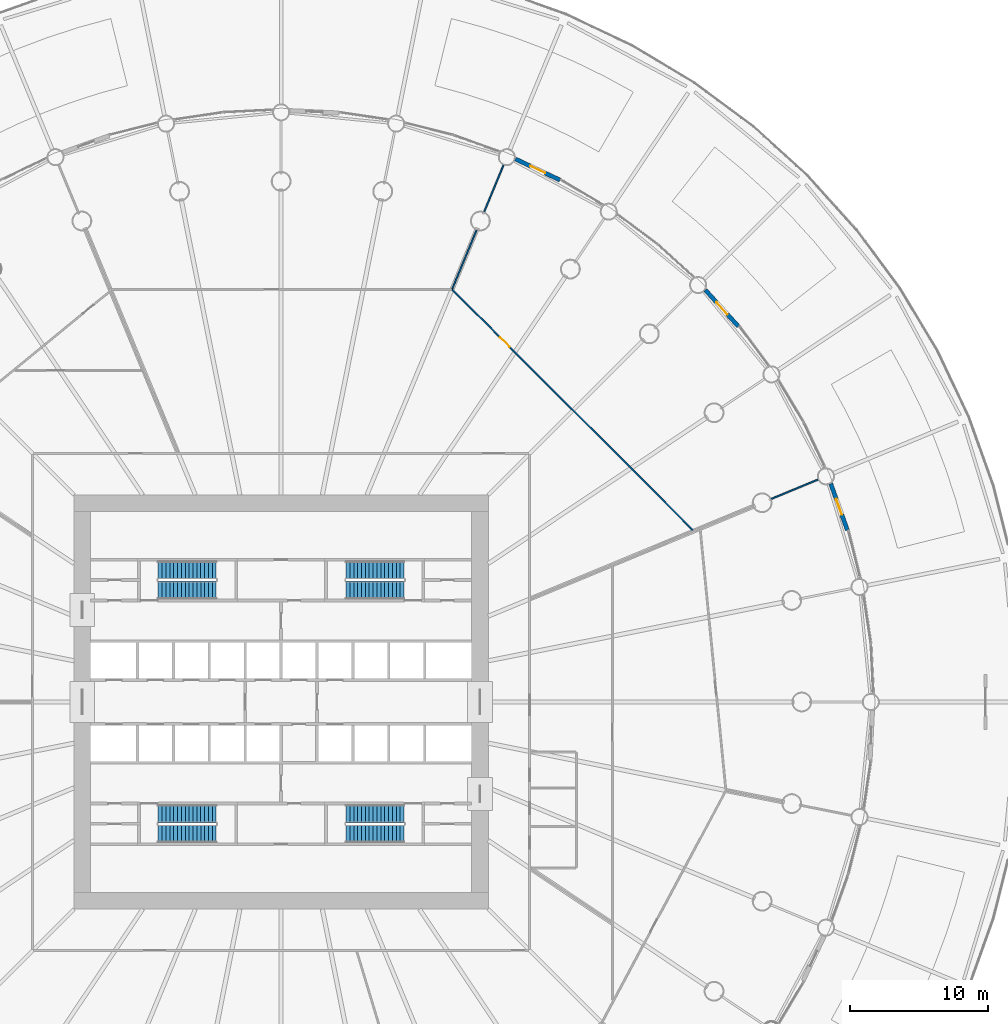
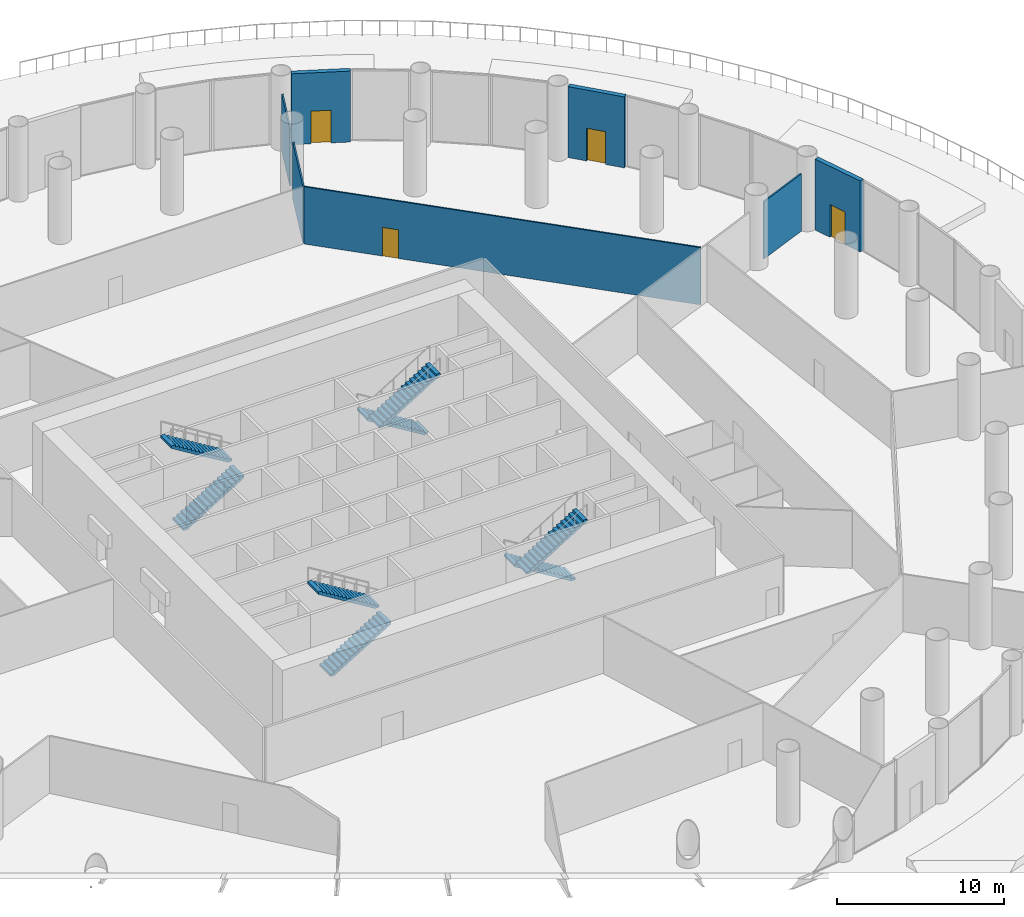
# One storey, part 33 of 36: 8 stair flights, 7 walls, 4 doors, 4 openings, 4 elements without a shape of their own.
"""IFC4 building model written with IfcOpenShell, lengths in metres."""

from ifc_helpers import new_model, si_unit, direction, frame, frame_2d, origin, place, context, subcontext, project, spatial, polyline, rectangle, outline, extrude, material, layer, layer_set, type_object, element, fill, aggregate, save


model = new_model("IFC4")

# Units and contexts
model_context = context("Model", 3, precision=1e-05, world=origin(), true_north=direction((0.0, 1.0)))
body_context = subcontext(model_context, "Body", "Model", "MODEL_VIEW")
ifc_project = project(units=[si_unit("LENGTHUNIT", "METRE"), si_unit("AREAUNIT", "SQUARE_METRE"), si_unit("VOLUMEUNIT", "CUBIC_METRE"), si_unit("PLANEANGLEUNIT", "RADIAN"), si_unit("MASSUNIT", "GRAM", prefix="KILO")], contexts=[model_context])

# Site, building, storey
site_placement = place(None, origin())
site = spatial("IfcSite", under=ifc_project, at=site_placement, CompositionType="ELEMENT")
building_placement = place(site_placement, origin())
building = spatial("IfcBuilding", under=site, at=building_placement, Name="Corvane Civic Tower", CompositionType="ELEMENT")
storey_placement = place(building_placement, frame((0.0, 0.0, 6.0)))
storey = spatial("IfcBuildingStorey", under=building, at=storey_placement, Name="L01", CompositionType="ELEMENT", Elevation=6.0)

# Wall, opening, door
ifc_material_1 = material(Name="Terracotta cladding", Category="masonry")
ifc_layer_1 = layer(ifc_material_1, 0.300048828125)
ifc_layer_set_1 = layer_set([ifc_layer_1], Name="Terracotta cladding")
wall_type_1 = type_object("IfcWallType", Name="PODIUM-W-DRUMDOOR-300", PredefinedType="SOLIDWALL", material=ifc_layer_set_1)
wall_1_placement = place(storey_placement, frame((16.9697265625, 39.317626953125, 0.0), z_axis=(0.0, 0.0, 1.0), x_axis=(0.903993235074, -0.427546758778, 0.0)))
wall_1 = element("IfcWall", 1, at=wall_1_placement, inside=storey, type_object=wall_type_1, Name="L01 drum door bay wall 03", PredefinedType="SOLIDWALL", context=body_context, shape_type="SweptSolid", body=[
    extrude(rectangle(XDim=3.559814453125, YDim=0.300048828125, at=frame_2d((1.77978515625, 0.0))), origin(), (0.0, 0.0, 1.0), 5.199951171875),
])
opening_1_placement = place(wall_1_placement, frame((1.179931640625, 0.0, 0.0)))
opening_1 = element("IfcOpeningElement", 2, at=opening_1_placement, cuts=wall_1, Name="Opening ED-L01-03", PredefinedType="OPENING", context=body_context, shape_type="SweptSolid", body=[
    extrude(rectangle(XDim=1.199951171875, YDim=2.39990234375, at=frame_2d((0.60009765625, 1.199951171875))), frame((0.0, 0.159912109375, 0.0), z_axis=(0.0, -1.0, 0.0), x_axis=(1.0, 0.0, 0.0)), (0.0, 0.0, 1.0), 0.320068359375),
])
ifc_material_2 = material(Name="Anodised aluminium and glass", Category="aluminium")
door_type_1 = type_object("IfcDoorType", Name="PODIUM-D-BALCONY-1200", OperationType="SINGLE_SWING_LEFT", PredefinedType="DOOR", material=ifc_material_2)
door_1_placement = place(opening_1_placement, origin())
door_1 = element("IfcDoor", 3, at=door_1_placement, inside=storey, type_object=door_type_1, Name="L01 balcony door 03", OperationType="SINGLE_SWING_LEFT", OverallHeight=2.39990234375, OverallWidth=1.199951171875, PredefinedType="DOOR", context=body_context, shape_type="SweptSolid", body=[
    extrude(rectangle(XDim=1.199951171875, YDim=2.39990234375, at=frame_2d((0.60009765625, 1.199951171875))), frame((0.0, 0.02490234375, 0.0), z_axis=(0.0, -1.0, 0.0), x_axis=(1.0, 0.0, 0.0)), (0.0, 0.0, 1.0), 0.050048828125),
])
fill(opening_1, door_1)

wall_2_placement = place(storey_placement, frame((30.72412109375, 29.83056640625, 0.0), z_axis=(0.0, 0.0, 1.0), x_axis=(0.671590022694, -0.740922965913, 0.0)))
wall_2 = element("IfcWall", 4, at=wall_2_placement, inside=storey, type_object=wall_type_1, Name="L01 drum door bay wall 05", PredefinedType="SOLIDWALL", context=body_context, shape_type="SweptSolid", body=[
    extrude(rectangle(XDim=3.56005859375, YDim=0.300048828125, at=frame_2d((1.780029296875, 0.0))), origin(), (0.0, 0.0, 1.0), 5.199951171875),
])
opening_2_placement = place(wall_2_placement, frame((1.179931640625, 0.0, 0.0)))
opening_2 = element("IfcOpeningElement", 5, at=opening_2_placement, cuts=wall_2, Name="Opening ED-L01-05", PredefinedType="OPENING", context=body_context, shape_type="SweptSolid", body=[
    extrude(rectangle(XDim=1.199951171875, YDim=2.39990234375, at=frame_2d((0.60009765625, 1.199951171875))), frame((0.0, 0.159912109375, 0.0), z_axis=(0.0, -1.0, 0.0), x_axis=(1.0, 0.0, 0.0)), (0.0, 0.0, 1.0), 0.320068359375),
])
door_2_placement = place(opening_2_placement, origin())
door_2 = element("IfcDoor", 6, at=door_2_placement, inside=storey, type_object=door_type_1, Name="L01 balcony door 05", OperationType="SINGLE_SWING_LEFT", OverallHeight=2.39990234375, OverallWidth=1.199951171875, PredefinedType="DOOR", context=body_context, shape_type="SweptSolid", body=[
    extrude(rectangle(XDim=1.199951171875, YDim=2.39990234375, at=frame_2d((0.60009765625, 1.199951171875))), frame((0.0, 0.02490234375, 0.0), z_axis=(0.0, -1.0, 0.0), x_axis=(1.0, 0.0, 0.0)), (0.0, 0.0, 1.0), 0.050048828125),
])
fill(opening_2, door_2)

wall_3_placement = place(storey_placement, frame((39.80126953125, 15.80224609375, 0.0), z_axis=(0.0, 0.0, 1.0), x_axis=(0.336870717414, -0.941550911926, 0.0)))
wall_3 = element("IfcWall", 7, at=wall_3_placement, inside=storey, type_object=wall_type_1, Name="L01 drum door bay wall 07", PredefinedType="SOLIDWALL", context=body_context, shape_type="SweptSolid", body=[
    extrude(rectangle(XDim=3.559814453125, YDim=0.300048828125, at=frame_2d((1.77978515625, 0.0))), origin(), (0.0, 0.0, 1.0), 5.199951171875),
])
opening_3_placement = place(wall_3_placement, frame((1.179931640625, 0.0, 0.0)))
opening_3 = element("IfcOpeningElement", 8, at=opening_3_placement, cuts=wall_3, Name="Opening ED-L01-07", PredefinedType="OPENING", context=body_context, shape_type="SweptSolid", body=[
    extrude(rectangle(XDim=1.199951171875, YDim=2.39990234375, at=frame_2d((0.60009765625, 1.199951171875))), frame((0.0, 0.159912109375, 0.0), z_axis=(0.0, -1.0, 0.0), x_axis=(1.0, 0.0, 0.0)), (0.0, 0.0, 1.0), 0.320068359375),
])
door_3_placement = place(opening_3_placement, origin())
door_3 = element("IfcDoor", 9, at=door_3_placement, inside=storey, type_object=door_type_1, Name="L01 balcony door 07", OperationType="SINGLE_SWING_LEFT", OverallHeight=2.39990234375, OverallWidth=1.199951171875, PredefinedType="DOOR", context=body_context, shape_type="SweptSolid", body=[
    extrude(rectangle(XDim=1.199951171875, YDim=2.39990234375, at=frame_2d((0.60009765625, 1.199951171875))), frame((0.0, 0.02490234375, 0.0), z_axis=(0.0, -1.0, 0.0), x_axis=(1.0, 0.0, 0.0)), (0.0, 0.0, 1.0), 0.050048828125),
])
fill(opening_3, door_3)

ifc_material_3 = material(Name="Plasterboard")
ifc_layer_2 = layer(ifc_material_3, 0.10009765625)
ifc_layer_set_2 = layer_set([ifc_layer_2], Name="Plasterboard")
wall_type_2 = type_object("IfcWallType", Name="Partition 100 plasterboard on studs", PredefinedType="PARTITIONING", material=ifc_layer_set_2)
wall_4_placement = place(storey_placement, frame((12.398681640625, 29.852294921875, 0.0), z_axis=(0.0, 0.0, 1.0), x_axis=(0.707106781187, -0.707106781187, 0.0)))
wall_4 = element("IfcWall", 10, at=wall_4_placement, inside=storey, type_object=wall_type_2, Name="Partition L01.034", PredefinedType="PARTITIONING", context=body_context, shape_type="SweptSolid", body=[
    extrude(rectangle(XDim=24.6416015625, YDim=0.10009765625, at=frame_2d((12.32080078125, 0.0))), origin(), (0.0, 0.0, 1.0), 4.199951171875),
])
opening_4_placement = place(wall_4_placement, frame((4.87353515625, 0.0, 0.0)))
opening_4 = element("IfcOpeningElement", 11, at=opening_4_placement, cuts=wall_4, Name="Opening L01.021", PredefinedType="OPENING", context=body_context, shape_type="SweptSolid", body=[
    extrude(rectangle(XDim=1.0, YDim=2.10009765625, at=frame_2d((0.5, 1.050048828125))), frame((0.0, 0.06005859375, 0.0), z_axis=(0.0, -1.0, 0.0), x_axis=(1.0, 0.0, 0.0)), (0.0, 0.0, 1.0), 0.1201171875),
])
ifc_material_4 = material(Name="Timber", Category="wood")
door_type_2 = type_object("IfcDoorType", Name="Single door 1000", OperationType="NOTDEFINED", PredefinedType="DOOR", material=ifc_material_4)
door_4_placement = place(opening_4_placement, origin())
door_4 = element("IfcDoor", 12, at=door_4_placement, inside=storey, type_object=door_type_2, Name="Door L01.021", OperationType="SINGLE_SWING_RIGHT", OverallHeight=2.10009765625, OverallWidth=1.0, PredefinedType="DOOR", context=body_context, shape_type="SweptSolid", body=[
    extrude(rectangle(XDim=1.0, YDim=2.10009765625, at=frame_2d((0.5, 1.050048828125))), frame((0.0, 0.02490234375, 0.0), z_axis=(0.0, -1.0, 0.0), x_axis=(1.0, 0.0, 0.0)), (0.0, 0.0, 1.0), 0.050048828125),
])
fill(opening_4, door_4)

# Walls
wall_5_placement = place(storey_placement, frame((35.486328125, 14.698974609375, 0.0), z_axis=(0.0, 0.0, 1.0), x_axis=(0.923877746385, 0.382687744427, 0.0)))
element("IfcWall", 13, at=wall_5_placement, inside=storey, type_object=wall_type_2, Name="Partition L01.035", PredefinedType="PARTITIONING", context=body_context, shape_type="SweptSolid", body=[
    extrude(rectangle(XDim=3.6796875, YDim=0.10009765625, at=frame_2d((1.83984375, 0.0))), origin(), (0.0, 0.0, 1.0), 4.199951171875),
])
wall_6_placement = place(storey_placement, frame((12.3876953125, 29.90673828125, 0.0), z_axis=(0.0, 0.0, 1.0), x_axis=(0.382708105761, 0.92386931207, 0.0)))
element("IfcWall", 14, at=wall_6_placement, inside=storey, type_object=wall_type_2, Name="Partition L01.044", PredefinedType="PARTITIONING", context=body_context, shape_type="SweptSolid", body=[
    extrude(rectangle(XDim=4.619140625, YDim=0.10009765625, at=frame_2d((2.3095703125, 0.0))), origin(), (0.0, 0.0, 1.0), 4.199951171875),
])
wall_7_placement = place(storey_placement, frame((14.698974609375, 35.486328125, 0.0), z_axis=(0.0, 0.0, 1.0), x_axis=(0.382687744427, 0.923877746385, 0.0)))
element("IfcWall", 15, at=wall_7_placement, inside=storey, type_object=wall_type_2, Name="Partition L01.046", PredefinedType="PARTITIONING", context=body_context, shape_type="SweptSolid", body=[
    extrude(rectangle(XDim=3.6796875, YDim=0.10009765625, at=frame_2d((1.83984375, 0.0))), origin(), (0.0, 0.0, 1.0), 4.199951171875),
])

# Stair, stair flights
ifc_material_5 = material(Name="Concrete C40/50", Category="concrete")
stair_type = type_object("IfcStairType", Name="ST-STAIR-HALFTURN", PredefinedType="HALF_TURN_STAIR", material=ifc_material_5)
stair_1_placement = place(storey_placement, origin())
stair_1 = element("IfcStair", 16, at=stair_1_placement, inside=storey, type_object=stair_type, Name="L01 Exit stair ST1", PredefinedType="HALF_TURN_STAIR")
ifc_material_6 = material(Name="Concrete C40/50", Category="concrete")
stair_flight_type = type_object("IfcStairFlightType", Name="ST-FLIGHT-RC", PredefinedType="STRAIGHT", material=ifc_material_6)
stair_flight_1_placement = place(storey_placement, frame((8.89990234375, 9.550048828125, 0.0), z_axis=(0.0, 0.0, 1.0), x_axis=(-1.0, 0.0, 0.0)))
stair_flight_1 = element("IfcStairFlight", 17, at=stair_flight_1_placement, type_object=stair_flight_type, Name="ST1 flight 1", NumberOfRisers=16, NumberOfTreads=15, PredefinedType="STRAIGHT", RiserHeight=0.171875, TreadLength=0.28, context=body_context, shape_type="SweptSolid", body=[
    extrude(outline(polyline([(0.0, 0.0), (0.0, 0.171875), (0.280029296875, 0.171875), (0.280029296875, 0.34375), (0.56005859375, 0.34375), (0.56005859375, 0.515625), (0.840087890625, 0.515625), (0.840087890625, 0.6875), (1.1201171875, 0.6875), (1.1201171875, 0.859375), (1.39990234375, 0.859375), (1.39990234375, 1.03125), (1.679931640625, 1.03125), (1.679931640625, 1.203125), (1.9599609375, 1.203125), (1.9599609375, 1.375), (2.239990234375, 1.375), (2.239990234375, 1.546875), (2.52001953125, 1.546875), (2.52001953125, 1.71875), (2.800048828125, 1.71875), (2.800048828125, 1.890625), (3.080078125, 1.890625), (3.080078125, 2.0625), (3.360107421875, 2.0625), (3.360107421875, 2.234375), (3.639892578125, 2.234375), (3.639892578125, 2.40625), (3.919921875, 2.40625), (3.919921875, 2.578125), (4.199951171875, 2.578125), (4.199951171875, 2.75), (4.199951171875, 2.40234375), (0.28662109375, 0.0), (0.0, 0.0)])), frame((0.0, 0.64990234375, 0.0), z_axis=(0.0, -1.0, 0.0), x_axis=(1.0, 0.0, 0.0)), (0.0, 0.0, 1.0), 1.300048828125),
])
stair_flight_2_placement = place(storey_placement, frame((4.699951171875, 8.10009765625, 2.75), z_axis=(0.0, 0.0, 1.0), x_axis=(1.0, 0.0, 0.0)))
stair_flight_2 = element("IfcStairFlight", 18, at=stair_flight_2_placement, type_object=stair_flight_type, Name="ST1 flight 2", NumberOfRisers=16, NumberOfTreads=15, PredefinedType="STRAIGHT", RiserHeight=0.171875, TreadLength=0.28, context=body_context, shape_type="SweptSolid", body=[
    extrude(outline(polyline([(0.0, 0.0), (0.0, 0.171875), (0.280029296875, 0.171875), (0.280029296875, 0.34375), (0.56005859375, 0.34375), (0.56005859375, 0.515625), (0.840087890625, 0.515625), (0.840087890625, 0.6875), (1.1201171875, 0.6875), (1.1201171875, 0.859375), (1.39990234375, 0.859375), (1.39990234375, 1.03125), (1.679931640625, 1.03125), (1.679931640625, 1.203125), (1.9599609375, 1.203125), (1.9599609375, 1.375), (2.239990234375, 1.375), (2.239990234375, 1.546875), (2.52001953125, 1.546875), (2.52001953125, 1.71875), (2.800048828125, 1.71875), (2.800048828125, 1.890625), (3.080078125, 1.890625), (3.080078125, 2.0625), (3.360107421875, 2.0625), (3.360107421875, 2.234375), (3.639892578125, 2.234375), (3.639892578125, 2.40625), (3.919921875, 2.40625), (3.919921875, 2.578125), (4.199951171875, 2.578125), (4.199951171875, 2.75), (4.199951171875, 2.40234375), (0.28662109375, 0.0), (0.0, 0.0)])), frame((0.0, 0.64990234375, 0.0), z_axis=(0.0, -1.0, 0.0), x_axis=(1.0, 0.0, 0.0)), (0.0, 0.0, 1.0), 1.300048828125),
])
aggregate(stair_1, [stair_flight_1, stair_flight_2])

stair_2_placement = place(storey_placement, origin())
stair_2 = element("IfcStair", 19, at=stair_2_placement, inside=storey, type_object=stair_type, Name="L01 Exit stair ST2", PredefinedType="HALF_TURN_STAIR")
stair_flight_3_placement = place(storey_placement, frame((8.89990234375, -8.10009765625, 0.0), z_axis=(0.0, 0.0, 1.0), x_axis=(-1.0, 0.0, 0.0)))
stair_flight_3 = element("IfcStairFlight", 20, at=stair_flight_3_placement, type_object=stair_flight_type, Name="ST2 flight 1", NumberOfRisers=16, NumberOfTreads=15, PredefinedType="STRAIGHT", RiserHeight=0.171875, TreadLength=0.28, context=body_context, shape_type="SweptSolid", body=[
    extrude(outline(polyline([(0.0, 0.0), (0.0, 0.171875), (0.280029296875, 0.171875), (0.280029296875, 0.34375), (0.56005859375, 0.34375), (0.56005859375, 0.515625), (0.840087890625, 0.515625), (0.840087890625, 0.6875), (1.1201171875, 0.6875), (1.1201171875, 0.859375), (1.39990234375, 0.859375), (1.39990234375, 1.03125), (1.679931640625, 1.03125), (1.679931640625, 1.203125), (1.9599609375, 1.203125), (1.9599609375, 1.375), (2.239990234375, 1.375), (2.239990234375, 1.546875), (2.52001953125, 1.546875), (2.52001953125, 1.71875), (2.800048828125, 1.71875), (2.800048828125, 1.890625), (3.080078125, 1.890625), (3.080078125, 2.0625), (3.360107421875, 2.0625), (3.360107421875, 2.234375), (3.639892578125, 2.234375), (3.639892578125, 2.40625), (3.919921875, 2.40625), (3.919921875, 2.578125), (4.199951171875, 2.578125), (4.199951171875, 2.75), (4.199951171875, 2.40234375), (0.28662109375, 0.0), (0.0, 0.0)])), frame((0.0, 0.64990234375, 0.0), z_axis=(0.0, -1.0, 0.0), x_axis=(1.0, 0.0, 0.0)), (0.0, 0.0, 1.0), 1.300048828125),
])
stair_flight_4_placement = place(storey_placement, frame((4.699951171875, -9.550048828125, 2.75), z_axis=(0.0, 0.0, 1.0), x_axis=(1.0, 0.0, 0.0)))
stair_flight_4 = element("IfcStairFlight", 21, at=stair_flight_4_placement, type_object=stair_flight_type, Name="ST2 flight 2", NumberOfRisers=16, NumberOfTreads=15, PredefinedType="STRAIGHT", RiserHeight=0.171875, TreadLength=0.28, context=body_context, shape_type="SweptSolid", body=[
    extrude(outline(polyline([(0.0, 0.0), (0.0, 0.171875), (0.280029296875, 0.171875), (0.280029296875, 0.34375), (0.56005859375, 0.34375), (0.56005859375, 0.515625), (0.840087890625, 0.515625), (0.840087890625, 0.6875), (1.1201171875, 0.6875), (1.1201171875, 0.859375), (1.39990234375, 0.859375), (1.39990234375, 1.03125), (1.679931640625, 1.03125), (1.679931640625, 1.203125), (1.9599609375, 1.203125), (1.9599609375, 1.375), (2.239990234375, 1.375), (2.239990234375, 1.546875), (2.52001953125, 1.546875), (2.52001953125, 1.71875), (2.800048828125, 1.71875), (2.800048828125, 1.890625), (3.080078125, 1.890625), (3.080078125, 2.0625), (3.360107421875, 2.0625), (3.360107421875, 2.234375), (3.639892578125, 2.234375), (3.639892578125, 2.40625), (3.919921875, 2.40625), (3.919921875, 2.578125), (4.199951171875, 2.578125), (4.199951171875, 2.75), (4.199951171875, 2.40234375), (0.28662109375, 0.0), (0.0, 0.0)])), frame((0.0, 0.64990234375, 0.0), z_axis=(0.0, -1.0, 0.0), x_axis=(1.0, 0.0, 0.0)), (0.0, 0.0, 1.0), 1.300048828125),
])
aggregate(stair_2, [stair_flight_3, stair_flight_4])

stair_3_placement = place(storey_placement, origin())
stair_3 = element("IfcStair", 22, at=stair_3_placement, inside=storey, type_object=stair_type, Name="L01 Exit stair ST3", PredefinedType="HALF_TURN_STAIR")
stair_flight_5_placement = place(storey_placement, frame((-8.89990234375, -9.550048828125, 0.0), z_axis=(0.0, 0.0, 1.0), x_axis=(1.0, 0.0, 0.0)))
stair_flight_5 = element("IfcStairFlight", 23, at=stair_flight_5_placement, type_object=stair_flight_type, Name="ST3 flight 1", NumberOfRisers=16, NumberOfTreads=15, PredefinedType="STRAIGHT", RiserHeight=0.171875, TreadLength=0.28, context=body_context, shape_type="SweptSolid", body=[
    extrude(outline(polyline([(0.0, 0.0), (0.0, 0.171875), (0.280029296875, 0.171875), (0.280029296875, 0.34375), (0.56005859375, 0.34375), (0.56005859375, 0.515625), (0.840087890625, 0.515625), (0.840087890625, 0.6875), (1.1201171875, 0.6875), (1.1201171875, 0.859375), (1.39990234375, 0.859375), (1.39990234375, 1.03125), (1.679931640625, 1.03125), (1.679931640625, 1.203125), (1.9599609375, 1.203125), (1.9599609375, 1.375), (2.239990234375, 1.375), (2.239990234375, 1.546875), (2.52001953125, 1.546875), (2.52001953125, 1.71875), (2.800048828125, 1.71875), (2.800048828125, 1.890625), (3.080078125, 1.890625), (3.080078125, 2.0625), (3.360107421875, 2.0625), (3.360107421875, 2.234375), (3.639892578125, 2.234375), (3.639892578125, 2.40625), (3.919921875, 2.40625), (3.919921875, 2.578125), (4.199951171875, 2.578125), (4.199951171875, 2.75), (4.199951171875, 2.40234375), (0.28662109375, 0.0), (0.0, 0.0)])), frame((0.0, 0.64990234375, 0.0), z_axis=(0.0, -1.0, 0.0), x_axis=(1.0, 0.0, 0.0)), (0.0, 0.0, 1.0), 1.300048828125),
])
stair_flight_6_placement = place(storey_placement, frame((-4.699951171875, -8.10009765625, 2.75), z_axis=(0.0, 0.0, 1.0), x_axis=(-1.0, 0.0, 0.0)))
stair_flight_6 = element("IfcStairFlight", 24, at=stair_flight_6_placement, type_object=stair_flight_type, Name="ST3 flight 2", NumberOfRisers=16, NumberOfTreads=15, PredefinedType="STRAIGHT", RiserHeight=0.171875, TreadLength=0.28, context=body_context, shape_type="SweptSolid", body=[
    extrude(outline(polyline([(0.0, 0.0), (0.0, 0.171875), (0.280029296875, 0.171875), (0.280029296875, 0.34375), (0.56005859375, 0.34375), (0.56005859375, 0.515625), (0.840087890625, 0.515625), (0.840087890625, 0.6875), (1.1201171875, 0.6875), (1.1201171875, 0.859375), (1.39990234375, 0.859375), (1.39990234375, 1.03125), (1.679931640625, 1.03125), (1.679931640625, 1.203125), (1.9599609375, 1.203125), (1.9599609375, 1.375), (2.239990234375, 1.375), (2.239990234375, 1.546875), (2.52001953125, 1.546875), (2.52001953125, 1.71875), (2.800048828125, 1.71875), (2.800048828125, 1.890625), (3.080078125, 1.890625), (3.080078125, 2.0625), (3.360107421875, 2.0625), (3.360107421875, 2.234375), (3.639892578125, 2.234375), (3.639892578125, 2.40625), (3.919921875, 2.40625), (3.919921875, 2.578125), (4.199951171875, 2.578125), (4.199951171875, 2.75), (4.199951171875, 2.40234375), (0.28662109375, 0.0), (0.0, 0.0)])), frame((0.0, 0.64990234375, 0.0), z_axis=(0.0, -1.0, 0.0), x_axis=(1.0, 0.0, 0.0)), (0.0, 0.0, 1.0), 1.300048828125),
])
aggregate(stair_3, [stair_flight_5, stair_flight_6])

stair_4_placement = place(storey_placement, origin())
stair_4 = element("IfcStair", 25, at=stair_4_placement, inside=storey, type_object=stair_type, Name="L01 Exit stair ST4", PredefinedType="HALF_TURN_STAIR")
stair_flight_7_placement = place(storey_placement, frame((-8.89990234375, 8.10009765625, 0.0), z_axis=(0.0, 0.0, 1.0), x_axis=(1.0, 0.0, 0.0)))
stair_flight_7 = element("IfcStairFlight", 26, at=stair_flight_7_placement, type_object=stair_flight_type, Name="ST4 flight 1", NumberOfRisers=16, NumberOfTreads=15, PredefinedType="STRAIGHT", RiserHeight=0.171875, TreadLength=0.28, context=body_context, shape_type="SweptSolid", body=[
    extrude(outline(polyline([(0.0, 0.0), (0.0, 0.171875), (0.280029296875, 0.171875), (0.280029296875, 0.34375), (0.56005859375, 0.34375), (0.56005859375, 0.515625), (0.840087890625, 0.515625), (0.840087890625, 0.6875), (1.1201171875, 0.6875), (1.1201171875, 0.859375), (1.39990234375, 0.859375), (1.39990234375, 1.03125), (1.679931640625, 1.03125), (1.679931640625, 1.203125), (1.9599609375, 1.203125), (1.9599609375, 1.375), (2.239990234375, 1.375), (2.239990234375, 1.546875), (2.52001953125, 1.546875), (2.52001953125, 1.71875), (2.800048828125, 1.71875), (2.800048828125, 1.890625), (3.080078125, 1.890625), (3.080078125, 2.0625), (3.360107421875, 2.0625), (3.360107421875, 2.234375), (3.639892578125, 2.234375), (3.639892578125, 2.40625), (3.919921875, 2.40625), (3.919921875, 2.578125), (4.199951171875, 2.578125), (4.199951171875, 2.75), (4.199951171875, 2.40234375), (0.28662109375, 0.0), (0.0, 0.0)])), frame((0.0, 0.64990234375, 0.0), z_axis=(0.0, -1.0, 0.0), x_axis=(1.0, 0.0, 0.0)), (0.0, 0.0, 1.0), 1.300048828125),
])
stair_flight_8_placement = place(storey_placement, frame((-4.699951171875, 9.550048828125, 2.75), z_axis=(0.0, 0.0, 1.0), x_axis=(-1.0, 0.0, 0.0)))
stair_flight_8 = element("IfcStairFlight", 27, at=stair_flight_8_placement, type_object=stair_flight_type, Name="ST4 flight 2", NumberOfRisers=16, NumberOfTreads=15, PredefinedType="STRAIGHT", RiserHeight=0.171875, TreadLength=0.28, context=body_context, shape_type="SweptSolid", body=[
    extrude(outline(polyline([(0.0, 0.0), (0.0, 0.171875), (0.280029296875, 0.171875), (0.280029296875, 0.34375), (0.56005859375, 0.34375), (0.56005859375, 0.515625), (0.840087890625, 0.515625), (0.840087890625, 0.6875), (1.1201171875, 0.6875), (1.1201171875, 0.859375), (1.39990234375, 0.859375), (1.39990234375, 1.03125), (1.679931640625, 1.03125), (1.679931640625, 1.203125), (1.9599609375, 1.203125), (1.9599609375, 1.375), (2.239990234375, 1.375), (2.239990234375, 1.546875), (2.52001953125, 1.546875), (2.52001953125, 1.71875), (2.800048828125, 1.71875), (2.800048828125, 1.890625), (3.080078125, 1.890625), (3.080078125, 2.0625), (3.360107421875, 2.0625), (3.360107421875, 2.234375), (3.639892578125, 2.234375), (3.639892578125, 2.40625), (3.919921875, 2.40625), (3.919921875, 2.578125), (4.199951171875, 2.578125), (4.199951171875, 2.75), (4.199951171875, 2.40234375), (0.28662109375, 0.0), (0.0, 0.0)])), frame((0.0, 0.64990234375, 0.0), z_axis=(0.0, -1.0, 0.0), x_axis=(1.0, 0.0, 0.0)), (0.0, 0.0, 1.0), 1.300048828125),
])
aggregate(stair_4, [stair_flight_7, stair_flight_8])

save(model, "model.ifc")
